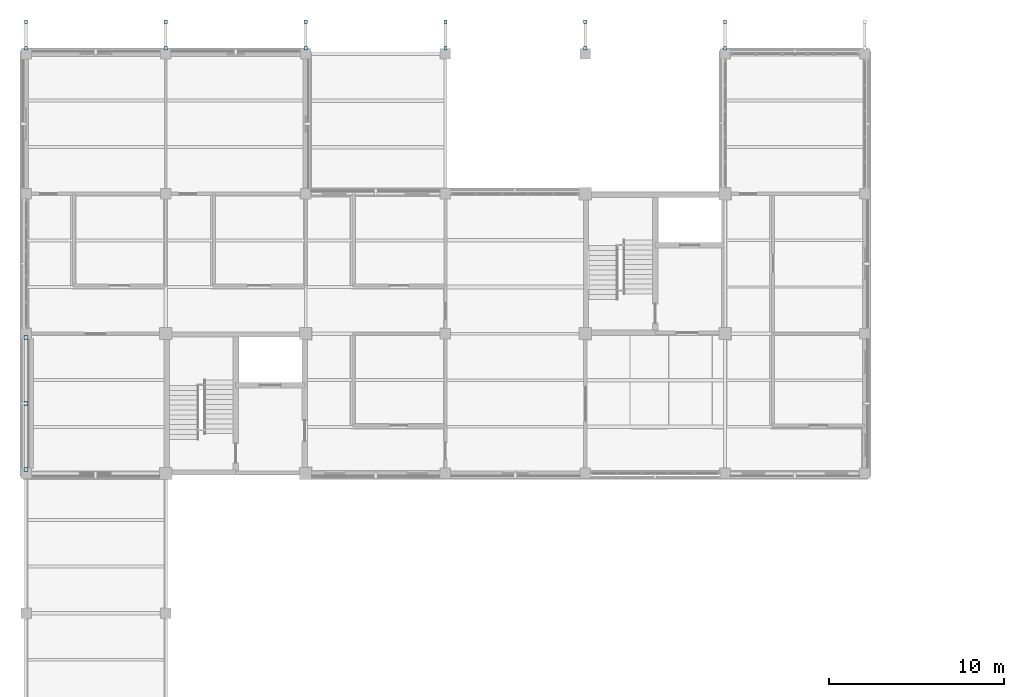
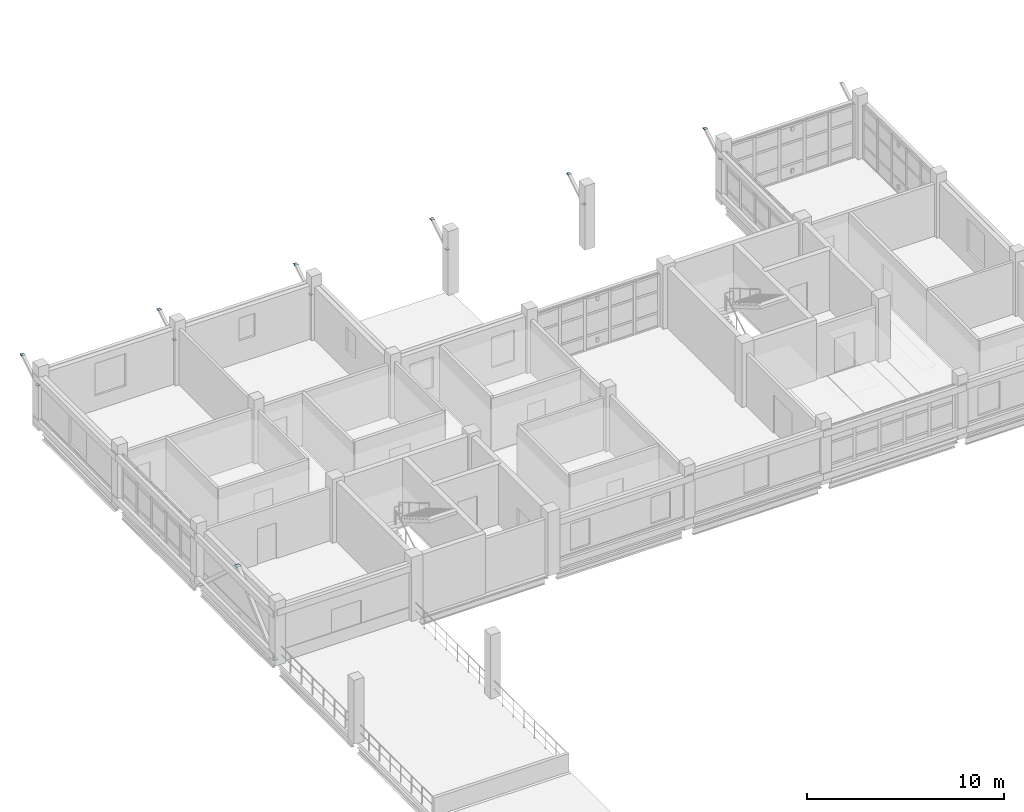
# One storey, part 19 of 35: 15 plates.
"""IFC4 building model written with IfcOpenShell, lengths in metres."""

from ifc_helpers import new_model, si_unit, derived_unit, direction, frame, origin, origin_2d, place, context, subcontext, project, spatial, rectangle, extrude, material, layer, layer_set, type_object, element, save


model = new_model("IFC4")

# Units and contexts
model_context = context("Model", 3, precision=1e-05, world=origin(), true_north=direction((0.0, 1.0)))
body_context = subcontext(model_context, "Body", "Model", "MODEL_VIEW")
ifc_project = project(units=[si_unit("LENGTHUNIT", "METRE"), si_unit("AREAUNIT", "SQUARE_METRE"), si_unit("VOLUMEUNIT", "CUBIC_METRE"), si_unit("PLANEANGLEUNIT", "RADIAN"), si_unit("MASSUNIT", "GRAM", prefix="KILO"), derived_unit("THERMALTRANSMITTANCEUNIT", [(si_unit("MASSUNIT", "GRAM", prefix="KILO"), 1), (si_unit("TIMEUNIT", "SECOND"), -3), (si_unit("THERMODYNAMICTEMPERATUREUNIT", "KELVIN"), -1)])], contexts=[model_context])

# Site, building, storey
site_placement = place(None, origin())
site = spatial("IfcSite", under=ifc_project, at=site_placement, CompositionType="ELEMENT")
building_placement = place(site_placement, origin())
building = spatial("IfcBuilding", under=site, at=building_placement, Name="Veyamyaing Civic Hall", CompositionType="ELEMENT")
storey_placement = place(building_placement, frame((0.0, 0.0, 21.780029296875)))
storey = spatial("IfcBuildingStorey", under=building, at=storey_placement, Name="L05", CompositionType="ELEMENT", Elevation=21.780029296875)

# Plates
ifc_material = material(Name="Steel S355J2", Category="steel")
ifc_layer_1 = layer(ifc_material, 0.01806640625, Name="Steel S355J2")
ifc_layer_set_1 = layer_set([ifc_layer_1], Name="Steel S355J2")
plate_type_1 = type_object("IfcPlateType", Name="GP-02", PredefinedType="SHEET", material=ifc_layer_set_1)
for number, where, z_axis, x_axis, name in (
    (1, (0.0, 88.219970703125, 0.041015625), (0.0, 0.0, 1.0), (1.0, 0.0, 0.0), "Brace base gusset plate GP-02 BF-NW L05.L"),
    (2, (0.0, 95.780029296875, 0.041015625), (0.0, 0.0, 1.0), (1.0, 0.0, 0.0), "Brace base gusset plate GP-02 BF-NW L05.R"),
    (3, (0.0, 92.0, 3.5009765625), (0.0, 0.0, 1.0), (1.0, 0.0, 0.0), "Brace apex gusset plate GP-02 BF-NW L05"),
):
    element("IfcPlate", number, at=place(storey_placement, frame(where, z_axis=z_axis, x_axis=x_axis)), inside=storey, type_object=plate_type_1, Name=name, PredefinedType="SHEET", context=body_context, shape_type="SweptSolid", body=[
        extrude(rectangle(XDim=0.25, YDim=0.25, at=origin_2d()), origin(), (0.0, 0.0, 1.0), 0.01806640625),
    ])
ifc_layer_2 = layer(ifc_material, 0.01611328125, Name="Steel S355J2")
ifc_layer_set_2 = layer_set([ifc_layer_2], Name="Steel S355J2")
plate_type_2 = type_object("IfcPlateType", Name="GP-03", PredefinedType="SHEET", material=ifc_layer_set_2)
for number, where, z_axis, x_axis, name in (
    (4, (0.0, 112.320068359375, 2.40185546875), (0.0, 0.0, 1.0), (0.0, 1.0, 0.0), "Eave strut end-cap plate GP-03 V4-NW.0.1"),
    (5, (0.0, 113.85009765625, 3.341796875), (0.0, 0.0, 1.0), (0.0, 1.0, 0.0), "Eave strut end-cap plate GP-03 V4-NW.0.2"),
    (6, (8.0, 112.320068359375, 2.40185546875), (0.0, 0.0, 1.0), (0.0, 1.0, 0.0), "Eave strut end-cap plate GP-03 V4-NW.1.1"),
    (7, (8.0, 113.85009765625, 3.341796875), (0.0, 0.0, 1.0), (0.0, 1.0, 0.0), "Eave strut end-cap plate GP-03 V4-NW.1.2"),
    (8, (16.0, 112.320068359375, 2.40185546875), (0.0, 0.0, 1.0), (0.0, 1.0, 0.0), "Eave strut end-cap plate GP-03 V4-NW.2.1"),
    (9, (16.0, 113.85009765625, 3.341796875), (0.0, 0.0, 1.0), (0.0, 1.0, 0.0), "Eave strut end-cap plate GP-03 V4-NW.2.2"),
    (10, (24.0, 112.320068359375, 2.40185546875), (0.0, 0.0, 1.0), (0.0, 1.0, 0.0), "Eave strut end-cap plate GP-03 V4-NW.3.1"),
    (11, (24.0, 113.85009765625, 3.341796875), (0.0, 0.0, 1.0), (0.0, 1.0, 0.0), "Eave strut end-cap plate GP-03 V4-NW.3.2"),
    (12, (32.0, 112.320068359375, 2.40185546875), (0.0, 0.0, 1.0), (0.0, 1.0, 0.0), "Eave strut end-cap plate GP-03 V4-NW.4.1"),
    (13, (32.0, 113.85009765625, 3.341796875), (0.0, 0.0, 1.0), (0.0, 1.0, 0.0), "Eave strut end-cap plate GP-03 V4-NW.4.2"),
    (14, (40.0, 112.320068359375, 2.40185546875), (0.0, 0.0, 1.0), (0.0, 1.0, 0.0), "Eave strut end-cap plate GP-03 V4-NW.5.1"),
    (15, (40.0, 113.85009765625, 3.341796875), (0.0, 0.0, 1.0), (0.0, 1.0, 0.0), "Eave strut end-cap plate GP-03 V4-NW.5.2"),
):
    element("IfcPlate", number, at=place(storey_placement, frame(where, z_axis=z_axis, x_axis=x_axis)), inside=storey, type_object=plate_type_2, Name=name, PredefinedType="SHEET", context=body_context, shape_type="SweptSolid", body=[
        extrude(rectangle(XDim=0.18994140625, YDim=0.18994140625, at=origin_2d()), origin(), (0.0, 0.0, 1.0), 0.01611328125),
    ])

save(model, "model.ifc")
